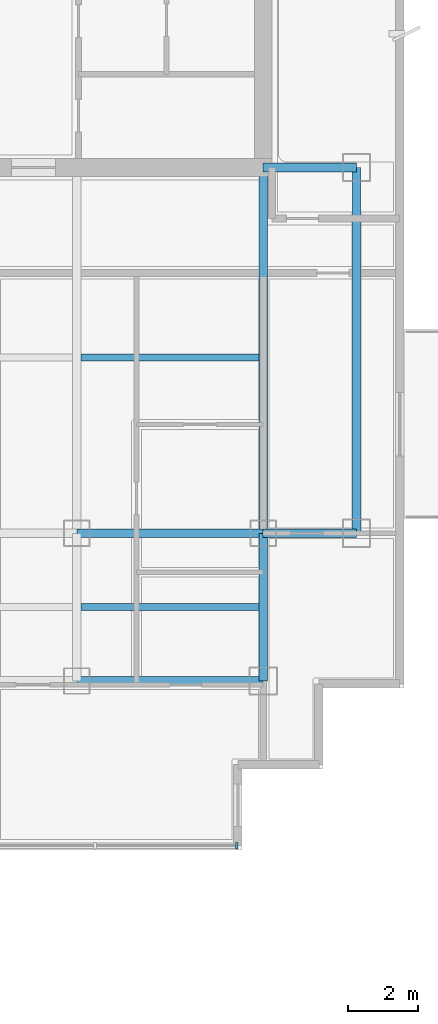
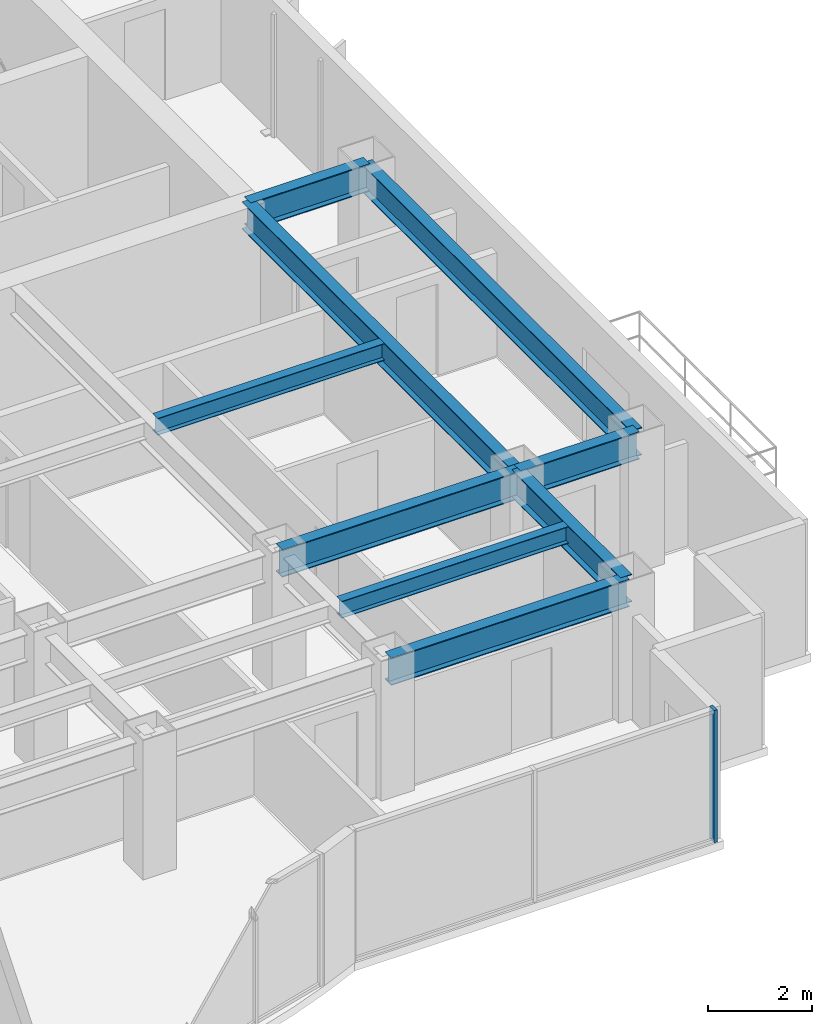
# One storey, part 4 of 11: 9 beams, 1 member, 1 element without a shape of its own.
"""IFC4 building model written with IfcOpenShell, lengths in metres."""

import ifcopenshell
import ifcopenshell.guid

model = None  # the IFC model being written
_history = None  # IfcOwnerHistory: only IFC2X3 demands one
_inside = {}  # id of a spatial element -> (the spatial element, [elements in it])
_under = {}  # id of a project, library or spatial element -> (it, [spatial elements below it])
_declared = {}  # id of a project -> (the project, [libraries it declares])
_typed = {}  # id of a type object -> (the type object, [elements of that type])
_made_of = {}  # id of a material, layer set ... -> (it, [elements and type objects made of it])


def new_model(schema):
    """Start an empty IFC model of exactly this schema.

    Asked for "IFC4X3", IfcOpenShell would pick the latest addendum, in which some entities
    have other attributes; the version numbers below select the first issue.
    IFC2X3 requires an IfcOwnerHistory on every rooted entity: one is made here for all.
    """
    global model, _history
    if schema == "IFC4X3":
        model = ifcopenshell.file(schema_version=(4, 3, 0, 0))
    else:
        model = ifcopenshell.file(schema=schema)
    _inside.clear()
    _under.clear()
    _declared.clear()
    _typed.clear()
    _made_of.clear()
    _history = None
    if model.schema == "IFC2X3":
        org = make("IfcOrganization", Name="unknown")
        user = make(
            "IfcPersonAndOrganization",
            ThePerson=make("IfcPerson", FamilyName="unknown"),
            TheOrganization=org,
        )
        app = make(
            "IfcApplication",
            ApplicationDeveloper=org,
            Version="unknown",
            ApplicationFullName="unknown",
            ApplicationIdentifier="unknown",
        )
        _history = make(
            "IfcOwnerHistory",
            OwningUser=user,
            OwningApplication=app,
            ChangeAction="ADDED",
            CreationDate=0,
        )
    return model


def make(cls, **values):
    """One entity of the class cls with the attributes given. An attribute that is None is left unset."""
    return model.create_entity(
        cls, **{name: value for name, value in values.items() if value is not None}
    )


def rooted(cls, **values):
    """An entity with a GlobalId (a new one), such as an element, a storey or a relation."""
    return make(cls, GlobalId=ifcopenshell.guid.new(), OwnerHistory=_history, **values)


def si_unit(unit_type, name, prefix=None):
    """IfcSIUnit, for example si_unit("LENGTHUNIT", "METRE", prefix="MILLI")."""
    return make("IfcSIUnit", UnitType=unit_type, Prefix=prefix, Name=name)


def assignment(units):
    """IfcUnitAssignment: the units of a project."""
    return None if units is None else make("IfcUnitAssignment", Units=units)


def point(xyz):
    """IfcCartesianPoint."""
    return None if xyz is None else make("IfcCartesianPoint", Coordinates=xyz)


def direction(xyz):
    """IfcDirection."""
    return None if xyz is None else make("IfcDirection", DirectionRatios=xyz)


def frame(location, z_axis=None, x_axis=None):
    """IfcAxis2Placement3D, a coordinate frame: its origin and axes. An axis left out is left unset."""
    return make(
        "IfcAxis2Placement3D",
        Location=point(location),
        Axis=direction(z_axis),
        RefDirection=direction(x_axis),
    )


def frame_2d(location, x_axis=None):
    """IfcAxis2Placement2D, a coordinate frame in the plane: its origin and x axis."""
    return make(
        "IfcAxis2Placement2D", Location=point(location), RefDirection=direction(x_axis)
    )


def origin():
    """The frame at (0, 0, 0) with its axes left unset."""
    return frame((0.0, 0.0, 0.0))


def origin_2d():
    """The frame at (0, 0) in the plane with its x axis left unset."""
    return frame_2d((0.0, 0.0))


def place(relative_to, where):
    """IfcLocalPlacement: puts the frame where relative to a parent placement (None: the world)."""
    return make(
        "IfcLocalPlacement", PlacementRelTo=relative_to, RelativePlacement=where
    )


def context(
    kind, dimensions, precision=None, world=None, true_north=None, identifier=None
):
    """IfcGeometricRepresentationContext, for example the 3D "Model" context."""
    return make(
        "IfcGeometricRepresentationContext",
        ContextIdentifier=identifier,
        ContextType=kind,
        CoordinateSpaceDimension=dimensions,
        Precision=precision,
        WorldCoordinateSystem=world,
        TrueNorth=true_north,
    )


def subcontext(parent, identifier, kind, view, scale=None):
    """IfcGeometricRepresentationSubContext, for example "Body" below "Model"."""
    return make(
        "IfcGeometricRepresentationSubContext",
        ContextIdentifier=identifier,
        ContextType=kind,
        ParentContext=parent,
        TargetScale=scale,
        TargetView=view,
    )


def project(units=None, contexts=None):
    """IfcProject with its units and contexts."""
    return rooted(
        "IfcProject",
        Name="project",
        RepresentationContexts=contexts,
        UnitsInContext=assignment(units),
    )


def spatial(cls, under=None, at=None, **own):
    """A site, building, storey or space (cls), placed at a placement, below another one or the project."""
    s = rooted(cls, ObjectPlacement=at, **own)
    if under is not None:
        _under.setdefault(under.id(), (under, []))[1].append(s)
    return s


def profile(cls, at=None, kind="AREA", **sizes):
    """A parametric profile (cls). Its sizes go by their IFC names, for example OverallWidth=200.0."""
    return make(cls, ProfileType=kind, Position=at, **sizes)


def rectangle(**sizes):
    """IfcRectangleProfileDef."""
    return profile("IfcRectangleProfileDef", **sizes)


def i_section(**sizes):
    """IfcIShapeProfileDef."""
    return profile("IfcIShapeProfileDef", **sizes)


def extrude(swept, where, along, depth):
    """IfcExtrudedAreaSolid: the profile swept, set in the frame where, extruded along a direction by depth."""
    return make(
        "IfcExtrudedAreaSolid",
        SweptArea=swept,
        Position=where,
        ExtrudedDirection=direction(along),
        Depth=depth,
    )


def shape(context_of_items, identifier, shape_type, items):
    """IfcShapeRepresentation: the items that make up one representation, for example the "Body"."""
    return make(
        "IfcShapeRepresentation",
        ContextOfItems=context_of_items,
        RepresentationIdentifier=identifier,
        RepresentationType=shape_type,
        Items=items,
    )


def source(mapping_origin, context_of_items, identifier, shape_type, items):
    """IfcRepresentationMap: a shape defined once, which mapped items show again and again."""
    return make(
        "IfcRepresentationMap",
        MappingOrigin=mapping_origin,
        MappedRepresentation=shape(context_of_items, identifier, shape_type, items),
    )


def transform(
    local_origin,
    x_axis=None,
    y_axis=None,
    z_axis=None,
    scale=None,
    scale2=None,
    scale3=None,
    uniform=True,
):
    """IfcCartesianTransformationOperator3D, or its non-uniform kind. x_axis, y_axis, z_axis: its Axis1, 2, 3."""
    if uniform:
        return make(
            "IfcCartesianTransformationOperator3D",
            Axis1=direction(x_axis),
            Axis2=direction(y_axis),
            LocalOrigin=point(local_origin),
            Scale=scale,
            Axis3=direction(z_axis),
        )
    return make(
        "IfcCartesianTransformationOperator3DnonUniform",
        Axis1=direction(x_axis),
        Axis2=direction(y_axis),
        LocalOrigin=point(local_origin),
        Scale=scale,
        Axis3=direction(z_axis),
        Scale2=scale2,
        Scale3=scale3,
    )


def mapped(mapping_source, mapping_target):
    """IfcMappedItem: shows the shape of a source again, moved by a transform."""
    return make(
        "IfcMappedItem", MappingSource=mapping_source, MappingTarget=mapping_target
    )


def material(Name=None, Category=None):
    """IfcMaterial."""
    return make("IfcMaterial", Name=Name, Category=Category)


def layer(
    of_material, thickness, ventilated=None, Name=None, Category=None, Priority=None
):
    """IfcMaterialLayer: one layer of a wall or slab, of a material (None: an air gap)."""
    return make(
        "IfcMaterialLayer",
        Material=of_material,
        LayerThickness=thickness,
        IsVentilated=ventilated,
        Name=Name,
        Category=Category,
        Priority=Priority,
    )


def layer_set(layers, Name=None):
    """IfcMaterialLayerSet."""
    return make("IfcMaterialLayerSet", MaterialLayers=layers, LayerSetName=Name)


def material_profile(
    of_material, cross_section, Name=None, Category=None, Priority=None
):
    """IfcMaterialProfile: a cross section and its material."""
    return make(
        "IfcMaterialProfile",
        Name=Name,
        Material=of_material,
        Profile=cross_section,
        Priority=Priority,
        Category=Category,
    )


def profile_set(profiles, Name=None, composite=None):
    """IfcMaterialProfileSet."""
    return make(
        "IfcMaterialProfileSet",
        Name=Name,
        MaterialProfiles=profiles,
        CompositeProfile=composite,
    )


def made_of(thing, what):
    """Note that an element or type object is made of a material, layer set ...; save() writes the relation."""
    if what is not None:
        _made_of.setdefault(what.id(), (what, []))[1].append(thing)
    return thing


def type_object(cls, material=None, **own):
    """A type object (cls), such as IfcWallType, which elements share."""
    return made_of(rooted(cls, **own), material)


def element(
    cls,
    number,
    at=None,
    inside=None,
    cuts=None,
    type_object=None,
    material=None,
    context=None,
    identifier="Body",
    shape_type=None,
    held_by="IfcProductDefinitionShape",
    body=None,
    shapes=None,
    **own,
):
    """One element of the class cls, such as IfcWall. Its Tag is "e" and its number.

    at: its placement. inside: the storey or other place that contains it. cuts: it is an
    opening in that element (IfcRelVoidsElement). A single representation is given by context,
    identifier, shape_type and body (its items); several are given by shapes. held_by: the class
    of the entity that holds the representations. save() writes the other relations.
    """
    e = rooted(cls, Tag="e%d" % number, ObjectPlacement=at, **own)
    if body is not None:
        shapes = [shape(context, identifier, shape_type, body)]
    if shapes is not None:
        e.Representation = make(held_by, Representations=shapes)
    if inside is not None:
        _inside.setdefault(inside.id(), (inside, []))[1].append(e)
    if cuts is not None:
        rooted(
            "IfcRelVoidsElement", RelatingBuildingElement=cuts, RelatedOpeningElement=e
        )
    if type_object is not None:
        _typed.setdefault(type_object.id(), (type_object, []))[1].append(e)
    return made_of(e, material)


def aggregate(whole, parts):
    """IfcRelAggregates: a whole, such as a stair, and the parts it consists of."""
    return rooted("IfcRelAggregates", RelatingObject=whole, RelatedObjects=parts)


def save(model, path):
    """Write the relations noted so far, then the file.

    IfcRelAggregates (storeys below a building ...), IfcRelContainedInSpatialStructure (elements
    in a storey), IfcRelDefinesByType, IfcRelAssociatesMaterial and IfcRelDeclares: one each for
    every whole, place, type object, material and project.
    """
    for whole, parts in _under.values():
        aggregate(whole, parts)
    for where, things in _inside.values():
        rooted(
            "IfcRelContainedInSpatialStructure",
            RelatedElements=things,
            RelatingStructure=where,
        )
    for kind, things in _typed.values():
        rooted("IfcRelDefinesByType", RelatedObjects=things, RelatingType=kind)
    for what, things in _made_of.values():
        rooted("IfcRelAssociatesMaterial", RelatedObjects=things, RelatingMaterial=what)
    for by, libraries in _declared.values():
        rooted("IfcRelDeclares", RelatingContext=by, RelatedDefinitions=libraries)
    model.write(path)


model = new_model("IFC4")

# Units and contexts
model_context = context("Model", 3, precision=1e-05, world=origin(), true_north=direction((0.0, 1.0)))
body_context = subcontext(model_context, "Body", "Model", "MODEL_VIEW")
ifc_project = project(units=[si_unit("LENGTHUNIT", "METRE"), si_unit("AREAUNIT", "SQUARE_METRE"), si_unit("VOLUMEUNIT", "CUBIC_METRE"), si_unit("PLANEANGLEUNIT", "RADIAN"), si_unit("MASSUNIT", "GRAM", prefix="KILO")], contexts=[model_context])

# Site, building, storey
site_placement = place(None, origin())
site = spatial("IfcSite", under=ifc_project, at=site_placement, CompositionType="ELEMENT")
building_placement = place(site_placement, origin())
building = spatial("IfcBuilding", under=site, at=building_placement, Name="Qianlan Lanfeng Residences", CompositionType="ELEMENT")
storey_placement = place(building_placement, frame((0.0, 0.0, 223.10009765625)))
storey = spatial("IfcBuildingStorey", under=building, at=storey_placement, Name="L61", CompositionType="ELEMENT", Elevation=223.10009765625)

# Beams
ifc_material_1 = material(Name="Steel SN490B", Category="steel")
ifc_material_profile_1 = material_profile(ifc_material_1, i_section(OverallWidth=0.25, OverallDepth=0.64990234375, WebThickness=0.012939453125, FlangeThickness=0.02197265625, at=origin_2d()), Name="H 650x250x13x22")
ifc_profile_set_1 = profile_set([ifc_material_profile_1], Name="Steel SN490B")
beam_type_1 = type_object("IfcBeamType", Name="G-650", PredefinedType="BEAM", material=ifc_profile_set_1)
for number, where, z_axis, x_axis, name in (
    (1, (37.10009765625, 10.60009765625, 2.784912109375), (1.0, 0.0, 0.0), (0.0, 1.0, 0.0), "Structural beam G-650"),
    (2, (37.10009765625, 14.800048828125, 2.784912109375), (1.0, 0.0, 0.0), (0.0, 1.0, 0.0), "Structural beam G-650"),
):
    element("IfcBeam", number, at=place(storey_placement, frame(where, z_axis=z_axis, x_axis=x_axis)), inside=storey, type_object=beam_type_1, Name=name, PredefinedType="BEAM", context=body_context, shape_type="SweptSolid", body=[
        extrude(i_section(OverallWidth=0.25, OverallDepth=0.64990234375, WebThickness=0.012939453125, FlangeThickness=0.02197265625, at=origin_2d()), origin(), (0.0, 0.0, 1.0), 5.2998046875),
    ])
for number, where, z_axis, x_axis, name in (
    (3, (42.39990234375, 14.800048828125, 2.784912109375), (1.0, 0.0, 0.0), (0.0, 1.0, 0.0), "Structural beam G-650"),
    (4, (42.39990234375, 25.199951171875, 2.784912109375), (1.0, 0.0, 0.0), (0.0, 1.0, 0.0), "Structural beam G-650"),
):
    element("IfcBeam", number, at=place(storey_placement, frame(where, z_axis=z_axis, x_axis=x_axis)), inside=storey, type_object=beam_type_1, Name=name, PredefinedType="BEAM", context=body_context, shape_type="SweptSolid", body=[
        extrude(i_section(OverallWidth=0.25, OverallDepth=0.64990234375, WebThickness=0.012939453125, FlangeThickness=0.02197265625, at=origin_2d()), origin(), (0.0, 0.0, 1.0), 2.650146484375),
    ])
beam_1_placement = place(storey_placement, frame((42.39990234375, 10.60009765625, 2.784912109375), z_axis=(0.0, 1.0, 0.0), x_axis=(-1.0, 0.0, 0.0)))
element("IfcBeam", 5, at=beam_1_placement, inside=storey, type_object=beam_type_1, Name="Structural beam G-650", PredefinedType="BEAM", context=body_context, shape_type="SweptSolid", body=[
    extrude(i_section(OverallWidth=0.25, OverallDepth=0.64990234375, WebThickness=0.012939453125, FlangeThickness=0.02197265625, at=origin_2d()), origin(), (0.0, 0.0, 1.0), 4.199951171875),
])
beam_2_placement = place(storey_placement, frame((42.39990234375, 14.800048828125, 2.784912109375), z_axis=(0.0, 1.0, 0.0), x_axis=(-1.0, 0.0, 0.0)))
element("IfcBeam", 6, at=beam_2_placement, inside=storey, type_object=beam_type_1, Name="Structural beam G-650", PredefinedType="BEAM", context=body_context, shape_type="SweptSolid", body=[
    extrude(i_section(OverallWidth=0.25, OverallDepth=0.64990234375, WebThickness=0.012939453125, FlangeThickness=0.02197265625, at=origin_2d()), origin(), (0.0, 0.0, 1.0), 10.39990234375),
])
ifc_material_profile_2 = material_profile(ifc_material_1, i_section(OverallWidth=0.199951171875, OverallDepth=0.39990234375, WebThickness=0.008056640625, FlangeThickness=0.012939453125, at=origin_2d()), Name="H 400x200x8x13")
ifc_profile_set_2 = profile_set([ifc_material_profile_2], Name="Steel SN490B")
beam_type_2 = type_object("IfcBeamType", Name="J-400", PredefinedType="JOIST", material=ifc_profile_set_2)
for number, where, z_axis, x_axis, name in (
    (7, (37.22509765625, 12.699951171875, 2.909912109375), (1.0, 0.0, 0.0), (0.0, 1.0, 0.0), "Structural beam J-400"),
    (8, (37.22509765625, 19.800048828125, 2.909912109375), (1.0, 0.0, 0.0), (0.0, 1.0, 0.0), "Structural beam J-400"),
):
    element("IfcBeam", number, at=place(storey_placement, frame(where, z_axis=z_axis, x_axis=x_axis)), inside=storey, type_object=beam_type_2, Name=name, PredefinedType="JOIST", context=body_context, shape_type="SweptSolid", body=[
        extrude(i_section(OverallWidth=0.199951171875, OverallDepth=0.39990234375, WebThickness=0.008056640625, FlangeThickness=0.012939453125, at=origin_2d()), origin(), (0.0, 0.0, 1.0), 5.0498046875),
    ])
ifc_material_profile_3 = material_profile(ifc_material_1, i_section(OverallWidth=0.25, OverallDepth=0.64990234375, WebThickness=0.012939453125, FlangeThickness=0.02197265625, at=origin_2d()), Name="H 650x250x13x22")
ifc_profile_set_3 = profile_set([ifc_material_profile_3], Name="Steel SN490B")
beam_type_3 = type_object("IfcBeamType", Name="SG-650", PredefinedType="SPANDREL", material=ifc_profile_set_3)
beam_3_placement = place(storey_placement, frame((45.050048828125, 14.800048828125, 2.764892578125), z_axis=(0.0, 1.0, 0.0), x_axis=(-1.0, 0.0, 0.0)))
element("IfcBeam", 9, at=beam_3_placement, inside=storey, type_object=beam_type_3, Name="Structural beam SG-650", PredefinedType="SPANDREL", context=body_context, shape_type="SweptSolid", body=[
    extrude(i_section(OverallWidth=0.25, OverallDepth=0.64990234375, WebThickness=0.012939453125, FlangeThickness=0.02197265625, at=origin_2d()), origin(), (0.0, 0.0, 1.0), 10.39990234375),
])

# Curtain wall, member
ifc_material_2 = material(Name="Anodised Bronze Aluminium 6063-T6", Category="aluminium")
ifc_layer = layer(ifc_material_2, 0.219970703125)
ifc_layer_set = layer_set([ifc_layer], Name="Anodised Bronze Aluminium 6063-T6")
curtain_wall_type = type_object("IfcCurtainWallType", Name="CW-05", PredefinedType="NOTDEFINED", material=ifc_layer_set)
curtain_wall_placement = place(storey_placement, origin())
curtain_wall = element("IfcCurtainWall", 10, at=curtain_wall_placement, inside=storey, type_object=curtain_wall_type, Name="L61 Unitised Curtain Wall CWR-L61-04 (CW-05)", PredefinedType="NOTDEFINED")
ifc_material_profile_4 = material_profile(ifc_material_2, rectangle(XDim=0.074951171875, YDim=0.179931640625, at=origin_2d()), Name="ALU MULLION 75x180")
ifc_profile_set_4 = profile_set([ifc_material_profile_4], Name="Anodised Bronze Aluminium 6063-T6")
member_type = type_object("IfcMemberType", Name="CWM-180", PredefinedType="MULLION", material=ifc_profile_set_4)
shared_shape = source(origin(), body_context, "Body", "SweptSolid", [
    extrude(rectangle(XDim=0.074951171875, YDim=0.179931640625, at=origin_2d()), origin(), (0.0, 0.0, 1.0), 3.10986328125),
])
member_placement = place(storey_placement, frame((41.642578125, 5.919921875, 0.0), z_axis=(0.0, 0.0, 1.0), x_axis=(1.0, 0.0, 0.0)))
member = element("IfcMember", 11, at=member_placement, type_object=member_type, Name="CWR-L61-04 Mullion 3", PredefinedType="MULLION", context=body_context, shape_type="MappedRepresentation", body=[
    mapped(shared_shape, transform((0.0, 0.0, 0.0), scale=1.0)),
])
aggregate(curtain_wall, [member])

save(model, "model.ifc")
